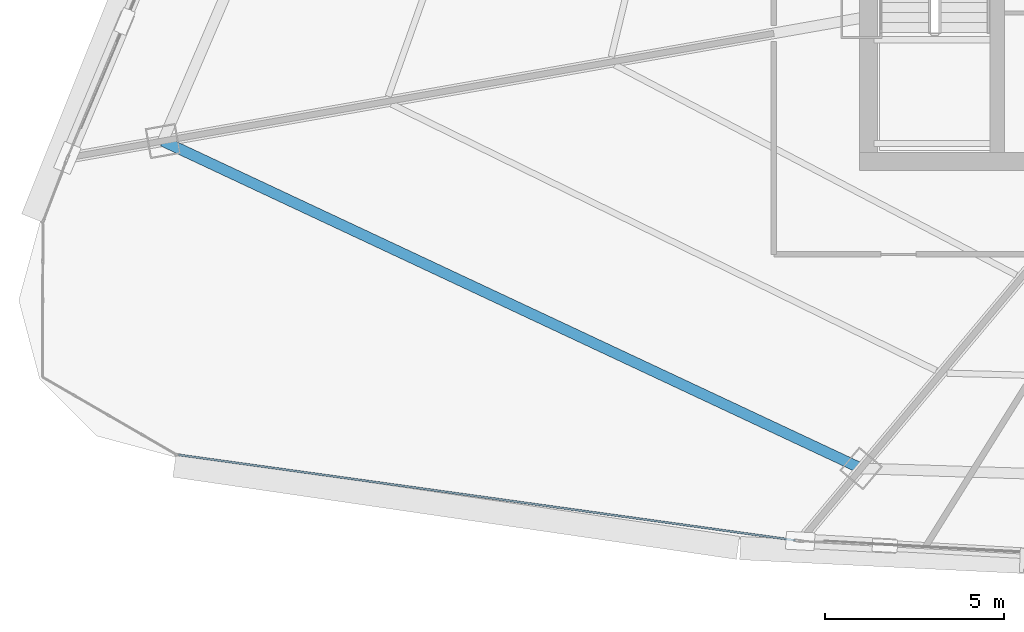
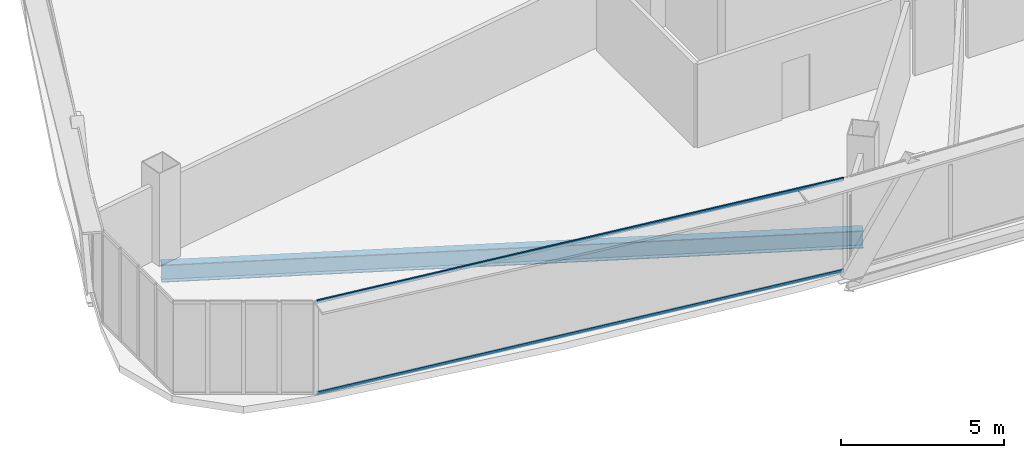
# One storey, part 3 of 37: 2 members, 1 beam, 1 element without a shape of its own.
"""IFC4 building model written with IfcOpenShell, lengths in metres."""

from ifc_helpers import new_model, si_unit, direction, frame, origin, origin_2d, place, context, subcontext, project, spatial, hollow_rectangle, i_section, extrude, source, transform, mapped, material, layer, layer_set, material_profile, profile_set, type_object, element, aggregate, save


model = new_model("IFC4")

# Units and contexts
model_context = context("Model", 3, precision=1e-05, world=origin(), true_north=direction((0.0, 1.0)))
body_context = subcontext(model_context, "Body", "Model", "MODEL_VIEW")
ifc_project = project(units=[si_unit("LENGTHUNIT", "METRE"), si_unit("AREAUNIT", "SQUARE_METRE"), si_unit("VOLUMEUNIT", "CUBIC_METRE"), si_unit("PLANEANGLEUNIT", "RADIAN"), si_unit("MASSUNIT", "GRAM", prefix="KILO"), si_unit("THERMODYNAMICTEMPERATUREUNIT", "KELVIN"), si_unit("POWERUNIT", "WATT")], contexts=[model_context])

# Site, building, storey
site_placement = place(None, origin())
site = spatial("IfcSite", under=ifc_project, at=site_placement, CompositionType="ELEMENT")
building_placement = place(site_placement, origin())
building = spatial("IfcBuilding", under=site, at=building_placement, Name="Yunzhuo Pagoda Commons", CompositionType="ELEMENT")
storey_placement = place(building_placement, frame((0.0, 0.0, 240.800048828125)))
storey = spatial("IfcBuildingStorey", under=building, at=storey_placement, Name="L60", CompositionType="ELEMENT", Elevation=240.800048828125)

# Beam
ifc_material_1 = material(Name="Structural steel Q355B", Category="steel")
ifc_material_profile_1 = material_profile(ifc_material_1, i_section(OverallWidth=0.300048828125, OverallDepth=0.64990234375, WebThickness=0.012939453125, FlangeThickness=0.02197265625, at=origin_2d()), Name="Structural steel Q355B")
ifc_profile_set_1 = profile_set([ifc_material_profile_1], Name="Structural steel Q355B")
beam_type = type_object("IfcBeamType", Name="B-RG2 Beam HN 650x300x13x22", PredefinedType="BEAM", material=ifc_profile_set_1)
shared_shape_1 = source(origin(), body_context, "Body", "SweptSolid", [
    extrude(i_section(OverallWidth=0.300048828125, OverallDepth=0.64990234375, WebThickness=0.012939453125, FlangeThickness=0.02197265625, at=origin_2d()), origin(), (0.0, 0.0, 1.0), 21.56689453125),
])
beam_placement = place(storey_placement, frame((16.06591796875, 28.069091796875, -0.5849609375), z_axis=(0.905424265365, -0.424507832304, 0.0), x_axis=(0.424507832304, 0.905424265365, 0.0)))
element("IfcBeam", 1, at=beam_placement, inside=storey, type_object=beam_type, Name="L60 column-ring beam 12", PredefinedType="BEAM", context=body_context, shape_type="MappedRepresentation", body=[
    mapped(shared_shape_1, transform((0.0, 0.0, 0.0), scale=1.0)),
])

# Curtain wall, members
ifc_material_2 = material(Name="Anodized aluminium 6063-T6", Category="aluminium")
ifc_layer = layer(ifc_material_2, 0.139892578125)
ifc_layer_set = layer_set([ifc_layer], Name="Anodized aluminium 6063-T6")
curtain_wall_type = type_object("IfcCurtainWallType", Name="CW-HI High-Zone Ribbon Curtain Wall", PredefinedType="NOTDEFINED", material=ifc_layer_set)
curtain_wall_placement = place(storey_placement, origin())
curtain_wall = element("IfcCurtainWall", 2, at=curtain_wall_placement, inside=storey, type_object=curtain_wall_type, Name="L60 curtain wall CW-L60-F1B1", PredefinedType="NOTDEFINED")
ifc_material_profile_2 = material_profile(ifc_material_2, hollow_rectangle(XDim=0.054931640625, YDim=0.1201171875, WallThickness=0.00341796875, at=origin_2d()), Name="Anodized aluminium 6063-T6")
ifc_profile_set_2 = profile_set([ifc_material_profile_2], Name="Anodized aluminium 6063-T6")
member_type = type_object("IfcMemberType", Name="CW-HI-T Transom RHS 120x55x3.5", PredefinedType="USERDEFINED", material=ifc_profile_set_2)
shared_shape_2 = source(origin(), body_context, "Body", "SweptSolid", [
    extrude(hollow_rectangle(XDim=0.054931640625, YDim=0.1201171875, WallThickness=0.00341796875, at=origin_2d()), origin(), (0.0, 0.0, 1.0), 17.41650390625),
])
member_1_placement = place(storey_placement, frame((16.50537109375, 19.29443359375, 0.02734375), z_axis=(0.990534830661, -0.137261608789, 0.0), x_axis=(0.137261608789, 0.990534830661, 0.0)))
member_1 = element("IfcMember", 3, at=member_1_placement, type_object=member_type, Name="CW transom 1.1", ObjectType="TRANSOM", PredefinedType="USERDEFINED", context=body_context, shape_type="MappedRepresentation", body=[
    mapped(shared_shape_2, transform((0.0, 0.0, 0.0), scale=1.0)),
])
member_2_placement = place(storey_placement, frame((16.50537109375, 19.29443359375, 3.4423828125), z_axis=(0.990534830661, -0.137261608789, 0.0), x_axis=(0.137261608789, 0.990534830661, 0.0)))
member_2 = element("IfcMember", 4, at=member_2_placement, type_object=member_type, Name="CW transom 1.2", ObjectType="TRANSOM", PredefinedType="USERDEFINED", context=body_context, shape_type="MappedRepresentation", body=[
    mapped(shared_shape_2, transform((0.0, 0.0, 0.0), scale=1.0)),
])
aggregate(curtain_wall, [member_1, member_2])

save(model, "model.ifc")
